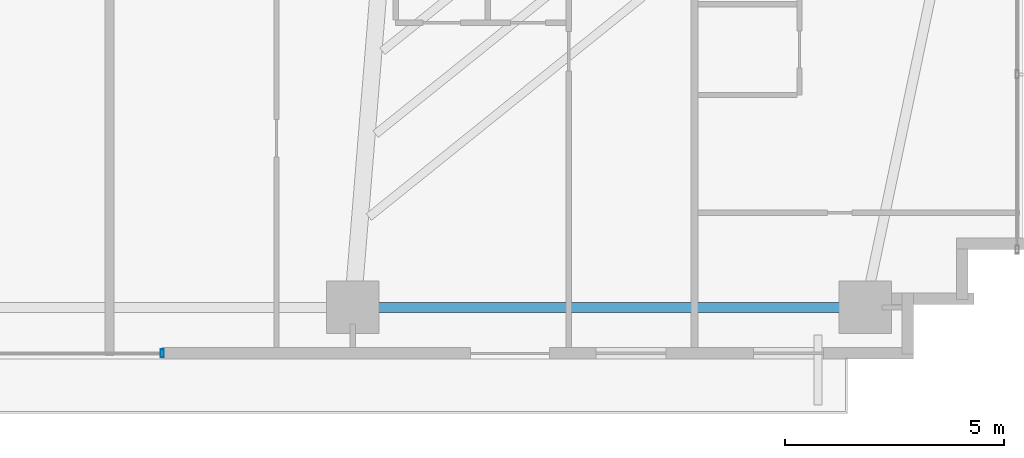
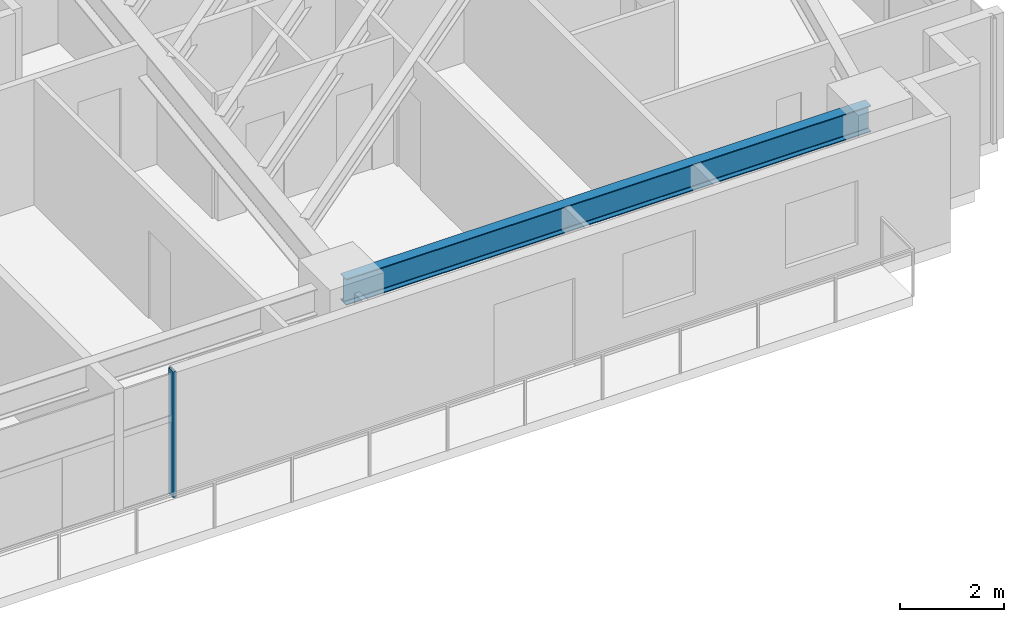
# One storey, part 12 of 25: 1 beam, 1 member, 1 element without a shape of its own.
"""IFC4 building model written with IfcOpenShell, lengths in metres."""

from ifc_helpers import new_model, si_unit, direction, frame, origin, origin_2d, place, context, subcontext, project, spatial, hollow_rectangle, i_section, extrude, source, transform, mapped, material, material_profile, profile_set, type_object, type_shapes, element, aggregate, save


model = new_model("IFC4")

# Units and contexts
model_context = context("Model", 3, precision=1e-05, world=origin(), true_north=direction((0.0, 1.0)))
body_context = subcontext(model_context, "Body", "Model", "MODEL_VIEW")
ifc_project = project(units=[si_unit("LENGTHUNIT", "METRE"), si_unit("AREAUNIT", "SQUARE_METRE"), si_unit("VOLUMEUNIT", "CUBIC_METRE"), si_unit("PLANEANGLEUNIT", "RADIAN"), si_unit("MASSUNIT", "GRAM", prefix="KILO")], contexts=[model_context])

# Site, building, storey
site_placement = place(None, origin())
site = spatial("IfcSite", under=ifc_project, at=site_placement, CompositionType="ELEMENT")
building_placement = place(site_placement, origin())
building = spatial("IfcBuilding", under=site, at=building_placement, Name="Astriad Promenade Condominiums", CompositionType="ELEMENT")
storey_placement = place(building_placement, frame((0.0, 0.0, 42.199951171875)))
storey = spatial("IfcBuildingStorey", under=building, at=storey_placement, Name="L11", CompositionType="ELEMENT", Elevation=42.199951171875)

# Beam
ifc_material_1 = material(Name="Steel ASTM A992 Grade 50", Category="steel")
ifc_material_profile_1 = material_profile(ifc_material_1, i_section(OverallWidth=0.22900390625, OverallDepth=0.612060546875, WebThickness=0.011962890625, FlangeThickness=0.01953125, FilletRadius=0.017822265625, at=origin_2d()), Name="W24X84")
ifc_profile_set_1 = profile_set([ifc_material_profile_1], Name="Steel ASTM A992 Grade 50")
beam_type = type_object("IfcBeamType", Name="STEEL SPANDREL BEAM W24X84", PredefinedType="SPANDREL", material=ifc_profile_set_1)
shared_shape_1 = source(origin(), body_context, "Body", "SweptSolid", [
    extrude(i_section(OverallWidth=0.22900390625, OverallDepth=0.612060546875, WebThickness=0.011962890625, FlangeThickness=0.01953125, FilletRadius=0.017822265625, at=origin_2d()), origin(), (0.0, 0.0, 1.0), 11.619873046875),
])
type_shapes(beam_type, [shared_shape_1])
beam_placement = place(storey_placement, frame((44.5400390625, 3.8798828125, 2.634033203125), z_axis=(1.0, 0.0, 0.0), x_axis=(0.0, 1.0, 0.0)))
element("IfcBeam", 1, at=beam_placement, inside=storey, type_object=beam_type, Name="Perimeter Spandrel Beam SP-S4-L11", PredefinedType="SPANDREL", context=body_context, shape_type="MappedRepresentation", body=[
    mapped(shared_shape_1, transform((0.0, 0.0, 0.0), scale=1.0)),
])

# Curtain wall, member
ifc_material_2 = material(Name="Anodised aluminium Black Dark Glass Unitised", Category="aluminium")
curtain_wall_type = type_object("IfcCurtainWallType", Name="CW-B1-DARK", PredefinedType="USERDEFINED", material=ifc_material_2)
curtain_wall_placement = place(storey_placement, origin())
curtain_wall = element("IfcCurtainWall", 2, at=curtain_wall_placement, inside=storey, type_object=curtain_wall_type, Name="CW-L11-S", ObjectType="UNITISED_CURTAIN_WALL", PredefinedType="USERDEFINED")
ifc_material_3 = material(Name="Anodised aluminium 6063-T6 Black", Category="aluminium")
ifc_material_profile_2 = material_profile(ifc_material_3, hollow_rectangle(XDim=0.074951171875, YDim=0.18505859375, WallThickness=0.00439453125, at=origin_2d()), Name="ALU-MUL-75X185")
ifc_profile_set_2 = profile_set([ifc_material_profile_2], Name="Anodised aluminium 6063-T6 Black")
member_type = type_object("IfcMemberType", Name="MUL-ALU-MUL-75X185", PredefinedType="MULLION", material=ifc_profile_set_2)
shared_shape_2 = source(origin(), body_context, "Body", "SweptSolid", [
    extrude(hollow_rectangle(XDim=0.074951171875, YDim=0.18505859375, WallThickness=0.00439453125, at=origin_2d()), origin(), (0.0, 0.0, 1.0), 2.93994140625),
])
type_shapes(member_type, [shared_shape_2])
member_placement = place(storey_placement, frame((40.14990234375, 2.830078125, 0.0), z_axis=(0.0, 0.0, 1.0), x_axis=(1.0, 0.0, 0.0)))
member = element("IfcMember", 3, at=member_placement, type_object=member_type, Name="CW-L11-S-MUL-00", PredefinedType="MULLION", context=body_context, shape_type="MappedRepresentation", body=[
    mapped(shared_shape_2, transform((0.0, 0.0, 0.0), scale=1.0)),
])
aggregate(curtain_wall, [member])

save(model, "model.ifc")
